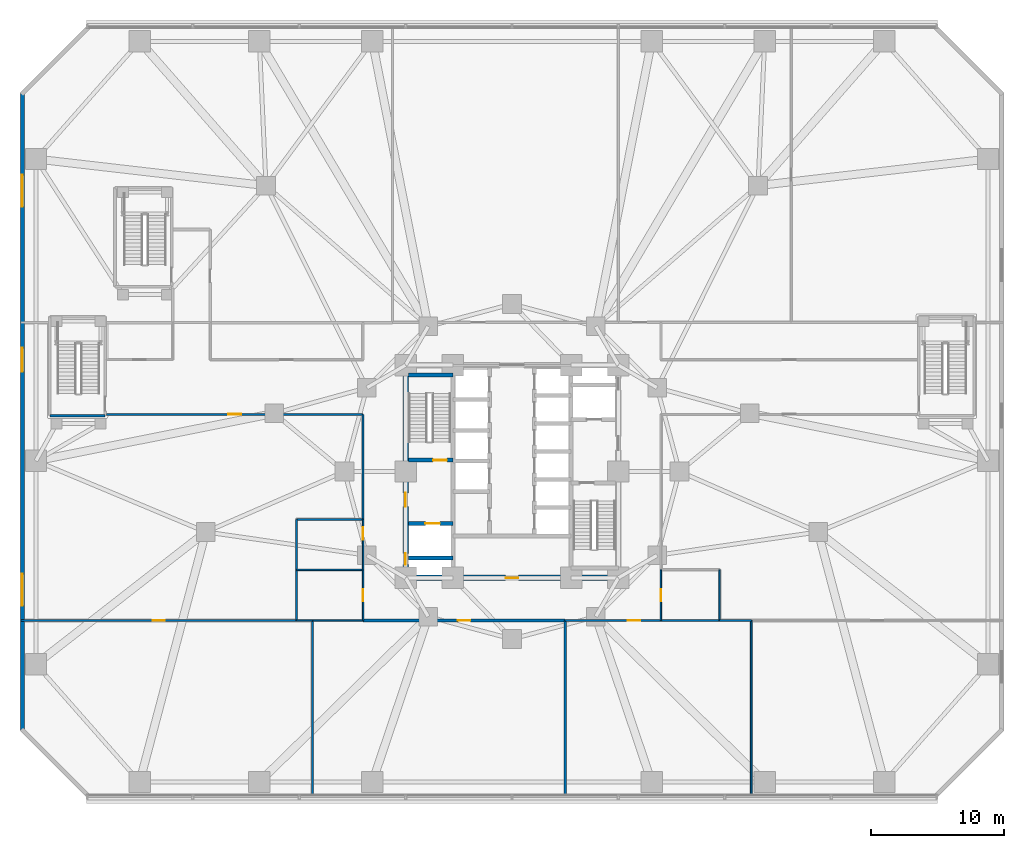
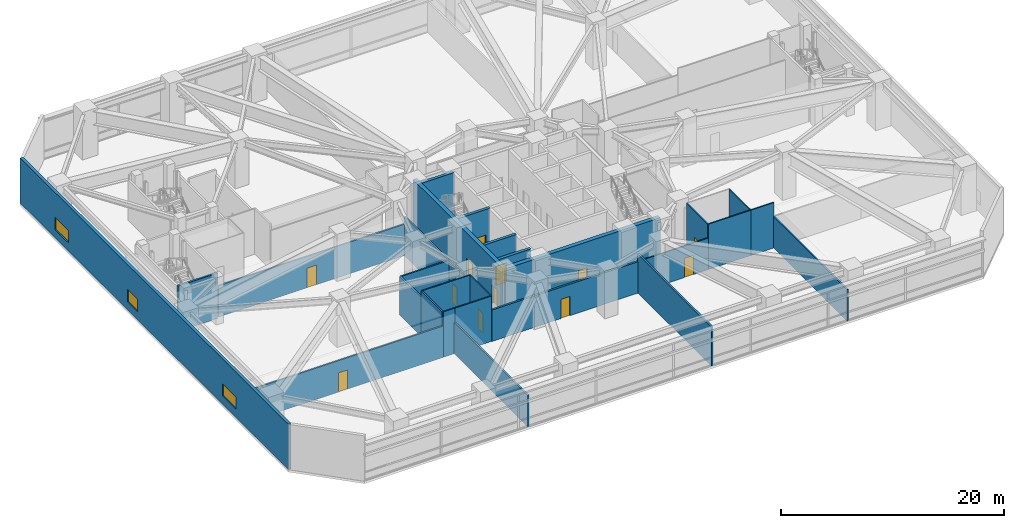
# One storey, part 15 of 28: 28 walls, 12 doors, 3 windows, 15 openings.
"""IFC4 building model written with IfcOpenShell, lengths in metres."""

from ifc_helpers import new_model, si_unit, direction, frame, frame_2d, origin, place, context, subcontext, project, spatial, rectangle, extrude, material, layer, layer_set, type_object, element, fill, save


model = new_model("IFC4")

# Units and contexts
model_context = context("Model", 3, precision=1e-05, world=origin(), true_north=direction((0.0, 1.0)))
body_context = subcontext(model_context, "Body", "Model", "MODEL_VIEW")
ifc_project = project(units=[si_unit("LENGTHUNIT", "METRE"), si_unit("AREAUNIT", "SQUARE_METRE"), si_unit("VOLUMEUNIT", "CUBIC_METRE"), si_unit("PLANEANGLEUNIT", "RADIAN"), si_unit("MASSUNIT", "GRAM", prefix="KILO")], contexts=[model_context])

# Site, building, storey
site_placement = place(None, origin())
site = spatial("IfcSite", under=ifc_project, at=site_placement, CompositionType="ELEMENT")
building_placement = place(site_placement, origin())
building = spatial("IfcBuilding", under=site, at=building_placement, Name="Terralouvre Media Tower", CompositionType="ELEMENT")
storey_placement = place(building_placement, frame((0.0, 0.0, 10.39990234375)))
storey = spatial("IfcBuildingStorey", under=building, at=storey_placement, Name="L02", CompositionType="ELEMENT", Elevation=10.39990234375)

# Wall, opening, door
ifc_material_1 = material(Name="Concrete C50/60", Category="concrete")
ifc_layer_1 = layer(ifc_material_1, 0.300048828125, Name="Core Internal Shaft Wall CW-300")
ifc_layer_set_1 = layer_set([ifc_layer_1], Name="Concrete C50/60")
wall_type_1 = type_object("IfcWallType", Name="Core Internal Shaft Wall CW-300", PredefinedType="SHEAR", material=ifc_layer_set_1)
wall_1_placement = place(storey_placement, frame((-7.7900390625, 0.85009765625, 0.0), z_axis=(0.0, 0.0, 1.0), x_axis=(1.0, 0.0, 0.0)))
wall_1 = element("IfcWall", 1, at=wall_1_placement, inside=storey, type_object=wall_type_1, Name="L02 Core Shaft Wall ST1D", PredefinedType="SHEAR", context=body_context, shape_type="SweptSolid", body=[
    extrude(rectangle(XDim=3.340087890625, YDim=0.300048828125, at=frame_2d((1.669921875, 0.0))), origin(), (0.0, 0.0, 1.0), 4.9501953125),
])
opening_1_placement = place(wall_1_placement, frame((1.85009765625, 0.0, 0.0)))
opening_1 = element("IfcOpeningElement", 2, at=opening_1_placement, cuts=wall_1, Name="Opening FD-01-105X215", PredefinedType="OPENING", context=body_context, shape_type="SweptSolid", body=[
    extrude(rectangle(XDim=1.050048828125, YDim=2.14990234375, at=frame_2d((0.52490234375, 1.074951171875))), frame((0.0, 0.159912109375, 0.0), z_axis=(0.0, -1.0, 0.0), x_axis=(1.0, 0.0, 0.0)), (0.0, 0.0, 1.0), 0.320068359375),
])
ifc_material_2 = material(Name="Galvanised steel fire-resisting leaf", Category="steel")
door_type_1 = type_object("IfcDoorType", Name="Stair and Firefighting Lobby Fire Door FD-01 (1050x2150)", OperationType="NOTDEFINED", PredefinedType="DOOR", material=ifc_material_2)
door_1_placement = place(opening_1_placement, origin())
door_1 = element("IfcDoor", 3, at=door_1_placement, inside=storey, type_object=door_type_1, Name="L02 ST-01 Exit Stair Door", OperationType="SINGLE_SWING_LEFT", OverallHeight=2.14990234375, OverallWidth=1.050048828125, PredefinedType="DOOR", context=body_context, shape_type="SweptSolid", body=[
    extrude(rectangle(XDim=1.050048828125, YDim=2.14990234375, at=frame_2d((0.52490234375, 1.074951171875))), frame((0.0, 0.02490234375, 0.0), z_axis=(0.0, -1.0, 0.0), x_axis=(1.0, 0.0, 0.0)), (0.0, 0.0, 1.0), 0.050048828125),
])
fill(opening_1, door_1)

# Wall
wall_2_placement = place(storey_placement, frame((-7.7900390625, 7.260009765625, 0.0), z_axis=(0.0, 0.0, 1.0), x_axis=(1.0, 0.0, 0.0)))
element("IfcWall", 4, at=wall_2_placement, inside=storey, type_object=wall_type_1, Name="L02 Core Shaft Wall ST1F", PredefinedType="SHEAR", context=body_context, shape_type="SweptSolid", body=[
    extrude(rectangle(XDim=3.340087890625, YDim=0.300048828125, at=frame_2d((1.669921875, 0.0))), origin(), (0.0, 0.0, 1.0), 4.9501953125),
])

# Wall, opening, door
wall_3_placement = place(storey_placement, frame((-7.7900390625, -3.89990234375, 0.0), z_axis=(0.0, 0.0, 1.0), x_axis=(1.0, 0.0, 0.0)))
wall_3 = element("IfcWall", 5, at=wall_3_placement, inside=storey, type_object=wall_type_1, Name="L02 Core Shaft Wall FF1N", PredefinedType="SHEAR", context=body_context, shape_type="SweptSolid", body=[
    extrude(rectangle(XDim=3.340087890625, YDim=0.300048828125, at=frame_2d((1.669921875, 0.0))), origin(), (0.0, 0.0, 1.0), 4.9501953125),
])
opening_2_placement = place(wall_3_placement, frame((1.27001953125, 0.0, 0.0)))
opening_2 = element("IfcOpeningElement", 6, at=opening_2_placement, cuts=wall_3, Name="Opening LD-FF", PredefinedType="OPENING", context=body_context, shape_type="SweptSolid", body=[
    extrude(rectangle(XDim=1.10009765625, YDim=2.10009765625, at=frame_2d((0.550048828125, 1.050048828125))), frame((0.0, 0.159912109375, 0.0), z_axis=(0.0, -1.0, 0.0), x_axis=(1.0, 0.0, 0.0)), (0.0, 0.0, 1.0), 0.320068359375),
])
ifc_material_3 = material(Name="Stainless steel 316 handrail and balustrade", Category="steel")
door_type_2 = type_object("IfcDoorType", Name="Firefighting Lift Sliding Landing Door LD-FF", OperationType="SLIDING_TO_LEFT", PredefinedType="DOOR", material=ifc_material_3)
door_2_placement = place(opening_2_placement, origin())
door_2 = element("IfcDoor", 7, at=door_2_placement, inside=storey, type_object=door_type_2, Name="L02 Firefighting Lift FFL-01 Landing Door", OperationType="SLIDING_TO_LEFT", OverallHeight=2.10009765625, OverallWidth=1.10009765625, PredefinedType="DOOR", context=body_context, shape_type="SweptSolid", body=[
    extrude(rectangle(XDim=1.10009765625, YDim=2.10009765625, at=frame_2d((0.550048828125, 1.050048828125))), frame((0.0, 0.02490234375, 0.0), z_axis=(0.0, -1.0, 0.0), x_axis=(1.0, 0.0, 0.0)), (0.0, 0.0, 1.0), 0.050048828125),
])
fill(opening_2, door_2)

# Wall
wall_4_placement = place(storey_placement, frame((-7.7900390625, -6.5, 0.0), z_axis=(0.0, 0.0, 1.0), x_axis=(1.0, 0.0, 0.0)))
element("IfcWall", 8, at=wall_4_placement, inside=storey, type_object=wall_type_1, Name="L02 Core Shaft Wall FF1S", PredefinedType="SHEAR", context=body_context, shape_type="SweptSolid", body=[
    extrude(rectangle(XDim=3.340087890625, YDim=0.300048828125, at=frame_2d((1.669921875, 0.0))), origin(), (0.0, 0.0, 1.0), 4.9501953125),
])

# Wall, openings, doors
ifc_material_4 = material(Name="Concrete C60/75", Category="concrete")
ifc_layer_2 = layer(ifc_material_4, 0.419921875, Name="Core Reinforced Concrete Shear Wall CW-420")
ifc_layer_set_2 = layer_set([ifc_layer_2], Name="Concrete C60/75")
wall_type_2 = type_object("IfcWallType", Name="Core Reinforced Concrete Shear Wall CW-420", PredefinedType="SHEAR", material=ifc_layer_set_2)
wall_5_placement = place(storey_placement, frame((-8.0, -8.0, 0.0), z_axis=(0.0, 0.0, 1.0), x_axis=(0.0, 1.0, 0.0)))
wall_5 = element("IfcWall", 9, at=wall_5_placement, inside=storey, type_object=wall_type_2, Name="L02 W Core Shear Wall", PredefinedType="SHEAR", context=body_context, shape_type="SweptSolid", body=[
    extrude(rectangle(XDim=16.0, YDim=0.419921875, at=frame_2d((8.0, 0.0))), origin(), (0.0, 0.0, 1.0), 4.9501953125),
])
opening_3_placement = place(wall_5_placement, frame((1.001708984375, 0.0, 0.0)))
opening_3 = element("IfcOpeningElement", 10, at=opening_3_placement, cuts=wall_5, Name="Opening TD-R1", PredefinedType="OPENING", context=body_context, shape_type="SweptSolid", body=[
    extrude(rectangle(XDim=0.85009765625, YDim=2.02001953125, at=frame_2d((0.425048828125, 1.010009765625))), frame((0.0, 0.219970703125, 0.0), z_axis=(0.0, -1.0, 0.0), x_axis=(1.0, 0.0, 0.0)), (0.0, 0.0, 1.0), 0.43994140625),
])
opening_4_placement = place(wall_5_placement, frame((5.35009765625, 0.0, 0.0)))
opening_4 = element("IfcOpeningElement", 11, at=opening_4_placement, cuts=wall_5, Name="Opening FD-01-105X215", PredefinedType="OPENING", context=body_context, shape_type="SweptSolid", body=[
    extrude(rectangle(XDim=1.050048828125, YDim=2.14990234375, at=frame_2d((0.52490234375, 1.074951171875))), frame((0.0, 0.219970703125, 0.0), z_axis=(0.0, -1.0, 0.0), x_axis=(1.0, 0.0, 0.0)), (0.0, 0.0, 1.0), 0.43994140625),
])
ifc_material_5 = material(Name="Galvanised steel fire-resisting leaf", Category="steel")
door_type_3 = type_object("IfcDoorType", Name="Riser Inspection Access Trapdoor TD-R1", OperationType="NOTDEFINED", PredefinedType="TRAPDOOR", material=ifc_material_5)
door_3_placement = place(opening_3_placement, origin())
door_3 = element("IfcDoor", 12, at=door_3_placement, inside=storey, type_object=door_type_3, Name="L02 Wet Riser Access Trapdoor", OperationType="SINGLE_SWING_LEFT", OverallHeight=2.02001953125, OverallWidth=0.85009765625, PredefinedType="TRAPDOOR", context=body_context, shape_type="SweptSolid", body=[
    extrude(rectangle(XDim=0.85009765625, YDim=2.02001953125, at=frame_2d((0.425048828125, 1.010009765625))), frame((0.0, 0.02490234375, 0.0), z_axis=(0.0, -1.0, 0.0), x_axis=(1.0, 0.0, 0.0)), (0.0, 0.0, 1.0), 0.050048828125),
])
fill(opening_3, door_3)
door_4_placement = place(opening_4_placement, origin())
door_4 = element("IfcDoor", 13, at=door_4_placement, inside=storey, type_object=door_type_1, Name="L02 West Firefighting Lobby Entry Door", OperationType="SINGLE_SWING_RIGHT", OverallHeight=2.14990234375, OverallWidth=1.050048828125, PredefinedType="DOOR", context=body_context, shape_type="SweptSolid", body=[
    extrude(rectangle(XDim=1.050048828125, YDim=2.14990234375, at=frame_2d((0.52490234375, 1.074951171875))), frame((0.0, 0.02490234375, 0.0), z_axis=(0.0, -1.0, 0.0), x_axis=(1.0, 0.0, 0.0)), (0.0, 0.0, 1.0), 0.050048828125),
])
fill(opening_4, door_4)

# Wall, opening, door
wall_6_placement = place(storey_placement, frame((-8.0, -8.0, 0.0), z_axis=(0.0, 0.0, 1.0), x_axis=(1.0, 0.0, 0.0)))
wall_6 = element("IfcWall", 14, at=wall_6_placement, inside=storey, type_object=wall_type_2, Name="L02 S Core Shear Wall", PredefinedType="SHEAR", context=body_context, shape_type="SweptSolid", body=[
    extrude(rectangle(XDim=16.0, YDim=0.419921875, at=frame_2d((8.0, 0.0))), origin(), (0.0, 0.0, 1.0), 4.9501953125),
])
opening_5_placement = place(wall_6_placement, frame((7.52001953125, 0.0, 0.0)))
opening_5 = element("IfcOpeningElement", 15, at=opening_5_placement, cuts=wall_6, Name="Opening FD-02-95X210", PredefinedType="OPENING", context=body_context, shape_type="SweptSolid", body=[
    extrude(rectangle(XDim=0.949951171875, YDim=2.10009765625, at=frame_2d((0.47509765625, 1.050048828125))), frame((0.0, 0.219970703125, 0.0), z_axis=(0.0, -1.0, 0.0), x_axis=(1.0, 0.0, 0.0)), (0.0, 0.0, 1.0), 0.43994140625),
])
ifc_material_6 = material(Name="Galvanised steel fire-resisting leaf", Category="steel")
door_type_4 = type_object("IfcDoorType", Name="Plant and Riser Fire Door FD-02 (950x2100)", OperationType="NOTDEFINED", PredefinedType="DOOR", material=ifc_material_6)
door_5_placement = place(opening_5_placement, origin())
door_5 = element("IfcDoor", 16, at=door_5_placement, inside=storey, type_object=door_type_4, Name="L02 Core Switchgear Plant Door", OperationType="SINGLE_SWING_LEFT", OverallHeight=2.10009765625, OverallWidth=0.949951171875, PredefinedType="DOOR", context=body_context, shape_type="SweptSolid", body=[
    extrude(rectangle(XDim=0.949951171875, YDim=2.10009765625, at=frame_2d((0.47509765625, 1.050048828125))), frame((0.0, 0.02490234375, 0.0), z_axis=(0.0, -1.0, 0.0), x_axis=(1.0, 0.0, 0.0)), (0.0, 0.0, 1.0), 0.050048828125),
])
fill(opening_5, door_5)

# Wall
ifc_material_7 = material(Name="Fire-rated gypsum board drywall partition")
ifc_layer_3 = layer(ifc_material_7, 0.199951171875, Name="Fire-Rated Shaft and Lobby Partition FW-200")
ifc_layer_set_3 = layer_set([ifc_layer_3], Name="Fire-rated gypsum board drywall partition")
wall_type_3 = type_object("IfcWallType", Name="Fire-Rated Shaft and Lobby Partition FW-200", PredefinedType="SOLIDWALL", material=ifc_layer_set_3)
wall_7_placement = place(storey_placement, frame((-34.75, 4.199951171875, 0.0), z_axis=(0.0, 0.0, 1.0), x_axis=(1.0, 0.0, 0.0)))
element("IfcWall", 17, at=wall_7_placement, inside=storey, type_object=wall_type_3, Name="L02 ST03 Stair Shaft Wall S", PredefinedType="SOLIDWALL", context=body_context, shape_type="SweptSolid", body=[
    extrude(rectangle(XDim=4.14990234375, YDim=0.199951171875, at=frame_2d((2.074951171875, 0.0))), origin(), (0.0, 0.0, 1.0), 4.9501953125),
])

# Wall, opening, door
wall_8_placement = place(storey_placement, frame((-11.199951171875, -11.199951171875, 0.0), z_axis=(0.0, 0.0, 1.0), x_axis=(1.0, 0.0, 0.0)))
wall_8 = element("IfcWall", 18, at=wall_8_placement, inside=storey, type_object=wall_type_3, Name="L02 Interior Partition 006", PredefinedType="SOLIDWALL", context=body_context, shape_type="SweptSolid", body=[
    extrude(rectangle(XDim=15.199951171875, YDim=0.199951171875, at=frame_2d((7.60009765625, 0.0))), origin(), (0.0, 0.0, 1.0), 3.43505859375),
])
opening_6_placement = place(wall_8_placement, frame((7.125, 0.0, 0.0)))
opening_6 = element("IfcOpeningElement", 19, at=opening_6_placement, cuts=wall_8, Name="Opening FD-02-95X210", PredefinedType="OPENING", context=body_context, shape_type="SweptSolid", body=[
    extrude(rectangle(XDim=0.949951171875, YDim=2.10009765625, at=frame_2d((0.47509765625, 1.050048828125))), frame((0.0, 0.10986328125, 0.0), z_axis=(0.0, -1.0, 0.0), x_axis=(1.0, 0.0, 0.0)), (0.0, 0.0, 1.0), 0.219970703125),
])
door_6_placement = place(opening_6_placement, origin())
door_6 = element("IfcDoor", 20, at=door_6_placement, inside=storey, type_object=door_type_4, Name="L02 L02 Central Apparatus Server Plant Room 3 Door", OperationType="SINGLE_SWING_LEFT", OverallHeight=2.10009765625, OverallWidth=0.949951171875, PredefinedType="DOOR", context=body_context, shape_type="SweptSolid", body=[
    extrude(rectangle(XDim=0.949951171875, YDim=2.10009765625, at=frame_2d((0.47509765625, 1.050048828125))), frame((0.0, 0.02490234375, 0.0), z_axis=(0.0, -1.0, 0.0), x_axis=(1.0, 0.0, 0.0)), (0.0, 0.0, 1.0), 0.050048828125),
])
fill(opening_6, door_6)

# Wall
wall_9_placement = place(storey_placement, frame((4.0, -24.419921875, 0.0), z_axis=(0.0, 0.0, 1.0), x_axis=(0.0, 1.0, 0.0)))
element("IfcWall", 21, at=wall_9_placement, inside=storey, type_object=wall_type_3, Name="L02 Interior Partition 033", PredefinedType="SOLIDWALL", context=body_context, shape_type="SweptSolid", body=[
    extrude(rectangle(XDim=13.219970703125, YDim=0.199951171875, at=frame_2d((6.60986328125, 0.0))), origin(), (0.0, 0.0, 1.0), 4.235107421875),
])

# Wall, opening, door
ifc_material_8 = material(Name="Fire-rated gypsum board drywall partition")
ifc_layer_4 = layer(ifc_material_8, 0.135009765625, Name="Newsroom Acoustic Partition PT-135")
ifc_layer_set_4 = layer_set([ifc_layer_4], Name="Fire-rated gypsum board drywall partition")
wall_type_4 = type_object("IfcWallType", Name="Newsroom Acoustic Partition PT-135", PredefinedType="PARTITIONING", material=ifc_layer_set_4)
wall_10_placement = place(storey_placement, frame((4.0, -11.199951171875, 0.0), z_axis=(0.0, 0.0, 1.0), x_axis=(1.0, 0.0, 0.0)))
wall_10 = element("IfcWall", 22, at=wall_10_placement, inside=storey, type_object=wall_type_4, Name="L02 Interior Partition 007", PredefinedType="PARTITIONING", context=body_context, shape_type="SweptSolid", body=[
    extrude(rectangle(XDim=7.199951171875, YDim=0.135009765625, at=frame_2d((3.60009765625, 0.0))), origin(), (0.0, 0.0, 1.0), 3.43505859375),
])
opening_7_placement = place(wall_10_placement, frame((4.708984375, 0.0, 0.0)))
opening_7 = element("IfcOpeningElement", 23, at=opening_7_placement, cuts=wall_10, Name="Opening ID-02-95X210", PredefinedType="OPENING", context=body_context, shape_type="SweptSolid", body=[
    extrude(rectangle(XDim=0.949951171875, YDim=2.10009765625, at=frame_2d((0.47509765625, 1.050048828125))), frame((0.0, 0.077392578125, 0.0), z_axis=(0.0, -1.0, 0.0), x_axis=(1.0, 0.0, 0.0)), (0.0, 0.0, 1.0), 0.155029296875),
])
ifc_material_9 = material(Name="Engineered hardwood acoustic timber leaf", Category="wood")
door_type_5 = type_object("IfcDoorType", Name="Office and Meeting Room Door ID-02 (950x2100)", OperationType="NOTDEFINED", PredefinedType="DOOR", material=ifc_material_9)
door_7_placement = place(opening_7_placement, origin())
door_7 = element("IfcDoor", 24, at=door_7_placement, inside=storey, type_object=door_type_5, Name="L02 L02 Post-Production Open Office 4 Door", OperationType="SINGLE_SWING_RIGHT", OverallHeight=2.10009765625, OverallWidth=0.949951171875, PredefinedType="DOOR", context=body_context, shape_type="SweptSolid", body=[
    extrude(rectangle(XDim=0.949951171875, YDim=2.10009765625, at=frame_2d((0.47509765625, 1.050048828125))), frame((0.0, 0.02490234375, 0.0), z_axis=(0.0, -1.0, 0.0), x_axis=(1.0, 0.0, 0.0)), (0.0, 0.0, 1.0), 0.050048828125),
])
fill(opening_7, door_7)

# Walls
wall_11_placement = place(storey_placement, frame((15.60009765625, -11.199951171875, 0.0), z_axis=(0.0, 0.0, 1.0), x_axis=(-1.0, 0.0, 0.0)))
element("IfcWall", 25, at=wall_11_placement, inside=storey, type_object=wall_type_4, Name="L02 Interior Partition 034", PredefinedType="PARTITIONING", context=body_context, shape_type="SweptSolid", body=[
    extrude(rectangle(XDim=4.400146484375, YDim=0.135009765625, at=frame_2d((2.2001953125, 0.0))), origin(), (0.0, 0.0, 1.0), 4.9501953125),
])
wall_12_placement = place(storey_placement, frame((18.0, -24.419921875, 0.0), z_axis=(0.0, 0.0, 1.0), x_axis=(0.0, 1.0, 0.0)))
element("IfcWall", 26, at=wall_12_placement, inside=storey, type_object=wall_type_4, Name="L02 Interior Partition 035", PredefinedType="PARTITIONING", context=body_context, shape_type="SweptSolid", body=[
    extrude(rectangle(XDim=13.219970703125, YDim=0.135009765625, at=frame_2d((6.60986328125, 0.0))), origin(), (0.0, 0.0, 1.0), 3.43505859375),
])
wall_13_placement = place(storey_placement, frame((18.0, -11.199951171875, 0.0), z_axis=(0.0, 0.0, 1.0), x_axis=(-1.0, 0.0, 0.0)))
element("IfcWall", 27, at=wall_13_placement, inside=storey, type_object=wall_type_4, Name="L02 Interior Partition 036", PredefinedType="PARTITIONING", context=body_context, shape_type="SweptSolid", body=[
    extrude(rectangle(XDim=2.39990234375, YDim=0.135009765625, at=frame_2d((1.199951171875, 0.0))), origin(), (0.0, 0.0, 1.0), 4.9501953125),
])

# Wall, openings, windows
ifc_material_10 = material(Name="Kiln-fired architectural terracotta rainscreen cladding", Category="masonry")
ifc_layer_5 = layer(ifc_material_10, 0.300048828125, Name="Podium Acoustic Terracotta Cladding Wall EW-TC300")
ifc_layer_set_5 = layer_set([ifc_layer_5], Name="Kiln-fired architectural terracotta rainscreen cladding")
wall_type_5 = type_object("IfcWallType", Name="Podium Acoustic Terracotta Cladding Wall EW-TC300", PredefinedType="SOLIDWALL", material=ifc_layer_set_5)
wall_14_placement = place(storey_placement, frame((-36.824951171875, 28.5, 0.0), z_axis=(0.0, 0.0, 1.0), x_axis=(0.0, -1.0, 0.0)))
wall_14 = element("IfcWall", 28, at=wall_14_placement, inside=storey, type_object=wall_type_5, Name="L02 Podium Terracotta Wall F6", PredefinedType="SOLIDWALL", context=body_context, shape_type="SweptSolid", body=[
    extrude(rectangle(XDim=48.0, YDim=0.300048828125, at=frame_2d((24.0, 0.0))), origin(), (0.0, 0.0, 1.0), 4.9501953125),
])
opening_8_placement = place(wall_14_placement, frame((6.199951171875, 0.0, 0.89990234375)))
opening_8 = element("IfcOpeningElement", 29, at=opening_8_placement, cuts=wall_14, Name="Opening W-01", PredefinedType="OPENING", context=body_context, shape_type="SweptSolid", body=[
    extrude(rectangle(XDim=2.39990234375, YDim=1.35009765625, at=frame_2d((1.199951171875, 0.675048828125))), frame((0.0, 0.159912109375, 0.0), z_axis=(0.0, -1.0, 0.0), x_axis=(1.0, 0.0, 0.0)), (0.0, 0.0, 1.0), 0.320068359375),
])
opening_9_placement = place(wall_14_placement, frame((19.199951171875, 0.0, 0.89990234375)))
opening_9 = element("IfcOpeningElement", 30, at=opening_9_placement, cuts=wall_14, Name="Opening W-02", PredefinedType="OPENING", context=body_context, shape_type="SweptSolid", body=[
    extrude(rectangle(XDim=1.800048828125, YDim=1.35009765625, at=frame_2d((0.89990234375, 0.675048828125))), frame((0.0, 0.159912109375, 0.0), z_axis=(0.0, -1.0, 0.0), x_axis=(1.0, 0.0, 0.0)), (0.0, 0.0, 1.0), 0.320068359375),
])
opening_10_placement = place(wall_14_placement, frame((36.199951171875, 0.0, 0.89990234375)))
opening_10 = element("IfcOpeningElement", 31, at=opening_10_placement, cuts=wall_14, Name="Opening W-01", PredefinedType="OPENING", context=body_context, shape_type="SweptSolid", body=[
    extrude(rectangle(XDim=2.39990234375, YDim=1.35009765625, at=frame_2d((1.199951171875, 0.675048828125))), frame((0.0, 0.159912109375, 0.0), z_axis=(0.0, -1.0, 0.0), x_axis=(1.0, 0.0, 0.0)), (0.0, 0.0, 1.0), 0.320068359375),
])
ifc_material_11 = material(Name="Low-iron laminated double glazing with solar-control coating", Category="glass")
window_type_1 = type_object("IfcWindowType", Name="Podium Acoustic Studio Window W-01", PartitioningType="SINGLE_PANEL", PredefinedType="WINDOW", material=ifc_material_11)
window_1_placement = place(opening_8_placement, origin())
window_1 = element("IfcWindow", 32, at=window_1_placement, inside=storey, type_object=window_type_1, Name="L02 Podium Window WIN-L02-F6-1", OverallHeight=1.35009765625, OverallWidth=2.39990234375, PartitioningType="SINGLE_PANEL", PredefinedType="WINDOW", context=body_context, shape_type="SweptSolid", body=[
    extrude(rectangle(XDim=2.39990234375, YDim=1.35009765625, at=frame_2d((1.199951171875, 0.675048828125))), frame((0.0, 0.030029296875, 0.0), z_axis=(0.0, -1.0, 0.0), x_axis=(1.0, 0.0, 0.0)), (0.0, 0.0, 1.0), 0.06005859375),
])
fill(opening_8, window_1)
window_2_placement = place(opening_10_placement, origin())
window_2 = element("IfcWindow", 33, at=window_2_placement, inside=storey, type_object=window_type_1, Name="L02 Podium Window WIN-L02-F6-3", OverallHeight=1.35009765625, OverallWidth=2.39990234375, PartitioningType="SINGLE_PANEL", PredefinedType="WINDOW", context=body_context, shape_type="SweptSolid", body=[
    extrude(rectangle(XDim=2.39990234375, YDim=1.35009765625, at=frame_2d((1.199951171875, 0.675048828125))), frame((0.0, 0.030029296875, 0.0), z_axis=(0.0, -1.0, 0.0), x_axis=(1.0, 0.0, 0.0)), (0.0, 0.0, 1.0), 0.06005859375),
])
fill(opening_10, window_2)
ifc_material_12 = material(Name="Low-iron laminated double glazing with solar-control coating", Category="glass")
window_type_2 = type_object("IfcWindowType", Name="Podium Press Office Window W-02", PartitioningType="SINGLE_PANEL", PredefinedType="WINDOW", material=ifc_material_12)
window_3_placement = place(opening_9_placement, origin())
window_3 = element("IfcWindow", 34, at=window_3_placement, inside=storey, type_object=window_type_2, Name="L02 Podium Window WIN-L02-F6-2", OverallHeight=1.35009765625, OverallWidth=1.800048828125, PartitioningType="SINGLE_PANEL", PredefinedType="WINDOW", context=body_context, shape_type="SweptSolid", body=[
    extrude(rectangle(XDim=1.800048828125, YDim=1.35009765625, at=frame_2d((0.89990234375, 0.675048828125))), frame((0.0, 0.030029296875, 0.0), z_axis=(0.0, -1.0, 0.0), x_axis=(1.0, 0.0, 0.0)), (0.0, 0.0, 1.0), 0.06005859375),
])
fill(opening_9, window_3)

# Wall, opening, door
ifc_material_13 = material(Name="Fire-rated gypsum board drywall partition")
ifc_layer_6 = layer(ifc_material_13, 0.114990234375, Name="Restroom and Pantry Partition PT-115")
ifc_layer_set_6 = layer_set([ifc_layer_6], Name="Fire-rated gypsum board drywall partition")
wall_type_6 = type_object("IfcWallType", Name="Restroom and Pantry Partition PT-115", PredefinedType="PARTITIONING", material=ifc_layer_set_6)
wall_15_placement = place(storey_placement, frame((-11.199951171875, -3.60009765625, 0.0), z_axis=(0.0, 0.0, 1.0), x_axis=(0.0, -1.0, 0.0)))
wall_15 = element("IfcWall", 35, at=wall_15_placement, inside=storey, type_object=wall_type_6, Name="L02 Interior Partition 004", PredefinedType="PARTITIONING", context=body_context, shape_type="SweptSolid", body=[
    extrude(rectangle(XDim=3.7998046875, YDim=0.114990234375, at=frame_2d((1.89990234375, 0.0))), origin(), (0.0, 0.0, 1.0), 4.235107421875),
])
opening_11_placement = place(wall_15_placement, frame((0.60400390625, 0.0, 0.0)))
opening_11 = element("IfcOpeningElement", 36, at=opening_11_placement, cuts=wall_15, Name="Opening ID-03-92X210", PredefinedType="OPENING", context=body_context, shape_type="SweptSolid", body=[
    extrude(rectangle(XDim=0.919921875, YDim=2.10009765625, at=frame_2d((0.4599609375, 1.050048828125))), frame((0.0, 0.0673828125, 0.0), z_axis=(0.0, -1.0, 0.0), x_axis=(1.0, 0.0, 0.0)), (0.0, 0.0, 1.0), 0.135009765625),
])
ifc_material_14 = material(Name="Engineered hardwood acoustic timber leaf", Category="wood")
door_type_6 = type_object("IfcDoorType", Name="Accessible Restroom and Suite Door ID-03 (920x2100)", OperationType="NOTDEFINED", PredefinedType="DOOR", material=ifc_material_14)
door_8_placement = place(opening_11_placement, origin())
door_8 = element("IfcDoor", 37, at=door_8_placement, inside=storey, type_object=door_type_6, Name="L02 L02 Podium Female Restroom WC Door", OperationType="SINGLE_SWING_LEFT", OverallHeight=2.10009765625, OverallWidth=0.919921875, PredefinedType="DOOR", context=body_context, shape_type="SweptSolid", body=[
    extrude(rectangle(XDim=0.919921875, YDim=2.10009765625, at=frame_2d((0.4599609375, 1.050048828125))), frame((0.0, 0.02490234375, 0.0), z_axis=(0.0, -1.0, 0.0), x_axis=(1.0, 0.0, 0.0)), (0.0, 0.0, 1.0), 0.050048828125),
])
fill(opening_11, door_8)

wall_16_placement = place(storey_placement, frame((-11.199951171875, -7.39990234375, 0.0), z_axis=(0.0, 0.0, 1.0), x_axis=(0.0, -1.0, 0.0)))
wall_16 = element("IfcWall", 38, at=wall_16_placement, inside=storey, type_object=wall_type_6, Name="L02 Interior Partition 005", PredefinedType="PARTITIONING", context=body_context, shape_type="SweptSolid", body=[
    extrude(rectangle(XDim=3.800048828125, YDim=0.114990234375, at=frame_2d((1.89990234375, 0.0))), origin(), (0.0, 0.0, 1.0), 4.9501953125),
])
opening_12_placement = place(wall_16_placement, frame((1.43994140625, 0.0, 0.0)))
opening_12 = element("IfcOpeningElement", 39, at=opening_12_placement, cuts=wall_16, Name="Opening ID-03-92X210", PredefinedType="OPENING", context=body_context, shape_type="SweptSolid", body=[
    extrude(rectangle(XDim=0.919921875, YDim=2.10009765625, at=frame_2d((0.4599609375, 1.050048828125))), frame((0.0, 0.0673828125, 0.0), z_axis=(0.0, -1.0, 0.0), x_axis=(1.0, 0.0, 0.0)), (0.0, 0.0, 1.0), 0.135009765625),
])
door_9_placement = place(opening_12_placement, origin())
door_9 = element("IfcDoor", 40, at=door_9_placement, inside=storey, type_object=door_type_6, Name="L02 L02 Podium Male Restroom WC Door", OperationType="SINGLE_SWING_RIGHT", OverallHeight=2.10009765625, OverallWidth=0.919921875, PredefinedType="DOOR", context=body_context, shape_type="SweptSolid", body=[
    extrude(rectangle(XDim=0.919921875, YDim=2.10009765625, at=frame_2d((0.4599609375, 1.050048828125))), frame((0.0, 0.02490234375, 0.0), z_axis=(0.0, -1.0, 0.0), x_axis=(1.0, 0.0, 0.0)), (0.0, 0.0, 1.0), 0.050048828125),
])
fill(opening_12, door_9)

wall_17_placement = place(storey_placement, frame((11.199951171875, -11.199951171875, 0.0), z_axis=(0.0, 0.0, 1.0), x_axis=(0.0, 1.0, 0.0)))
wall_17 = element("IfcWall", 41, at=wall_17_placement, inside=storey, type_object=wall_type_6, Name="L02 Interior Partition 008", PredefinedType="PARTITIONING", context=body_context, shape_type="SweptSolid", body=[
    extrude(rectangle(XDim=3.800048828125, YDim=0.114990234375, at=frame_2d((1.89990234375, 0.0))), origin(), (0.0, 0.0, 1.0), 4.9501953125),
])
opening_13_placement = place(wall_17_placement, frame((1.43994140625, 0.0, 0.0)))
opening_13 = element("IfcOpeningElement", 42, at=opening_13_placement, cuts=wall_17, Name="Opening ID-03-92X210", PredefinedType="OPENING", context=body_context, shape_type="SweptSolid", body=[
    extrude(rectangle(XDim=0.919921875, YDim=2.10009765625, at=frame_2d((0.4599609375, 1.050048828125))), frame((0.0, 0.0673828125, 0.0), z_axis=(0.0, -1.0, 0.0), x_axis=(1.0, 0.0, 0.0)), (0.0, 0.0, 1.0), 0.135009765625),
])
door_10_placement = place(opening_13_placement, origin())
door_10 = element("IfcDoor", 43, at=door_10_placement, inside=storey, type_object=door_type_6, Name="L02 L02 Podium Accessible Unisex WC Door", OperationType="SINGLE_SWING_LEFT", OverallHeight=2.10009765625, OverallWidth=0.919921875, PredefinedType="DOOR", context=body_context, shape_type="SweptSolid", body=[
    extrude(rectangle(XDim=0.919921875, YDim=2.10009765625, at=frame_2d((0.4599609375, 1.050048828125))), frame((0.0, 0.02490234375, 0.0), z_axis=(0.0, -1.0, 0.0), x_axis=(1.0, 0.0, 0.0)), (0.0, 0.0, 1.0), 0.050048828125),
])
fill(opening_13, door_10)

# Walls
wall_18_placement = place(storey_placement, frame((-16.199951171875, -7.39990234375, 0.0), z_axis=(0.0, 0.0, 1.0), x_axis=(1.0, 0.0, 0.0)))
element("IfcWall", 44, at=wall_18_placement, inside=storey, type_object=wall_type_6, Name="L02 Interior Partition 029", PredefinedType="PARTITIONING", context=body_context, shape_type="SweptSolid", body=[
    extrude(rectangle(XDim=5.0, YDim=0.114990234375, at=frame_2d((2.5, 0.0))), origin(), (0.0, 0.0, 1.0), 4.9501953125),
])
wall_19_placement = place(storey_placement, frame((-16.199951171875, -11.199951171875, 0.0), z_axis=(0.0, 0.0, 1.0), x_axis=(1.0, 0.0, 0.0)))
element("IfcWall", 45, at=wall_19_placement, inside=storey, type_object=wall_type_6, Name="L02 Interior Partition 030", PredefinedType="PARTITIONING", context=body_context, shape_type="SweptSolid", body=[
    extrude(rectangle(XDim=1.199951171875, YDim=0.114990234375, at=frame_2d((0.60009765625, 0.0))), origin(), (0.0, 0.0, 1.0), 4.9501953125),
])
for number, where, z_axis, x_axis, name in (
    (46, (-15.0, -11.199951171875, 0.0), (0.0, 0.0, 1.0), (1.0, 0.0, 0.0), "L02 Interior Partition 031"),
    (47, (15.60009765625, -11.199951171875, 0.0), (0.0, 0.0, 1.0), (0.0, 1.0, 0.0), "L02 Interior Partition 037"),
):
    element("IfcWall", number, at=place(storey_placement, frame(where, z_axis=z_axis, x_axis=x_axis)), inside=storey, type_object=wall_type_6, Name=name, PredefinedType="PARTITIONING", context=body_context, shape_type="SweptSolid", body=[
        extrude(rectangle(XDim=3.800048828125, YDim=0.114990234375, at=frame_2d((1.89990234375, 0.0))), origin(), (0.0, 0.0, 1.0), 4.9501953125),
    ])

# Wall, opening, door
ifc_material_15 = material(Name="Fire-rated gypsum board drywall partition")
ifc_layer_7 = layer(ifc_material_15, 0.159912109375, Name="Studio Acoustic Rated Partition PT-160")
ifc_layer_set_7 = layer_set([ifc_layer_7], Name="Fire-rated gypsum board drywall partition")
wall_type_7 = type_object("IfcWallType", Name="Studio Acoustic Rated Partition PT-160", PredefinedType="PARTITIONING", material=ifc_layer_set_7)
wall_20_placement = place(storey_placement, frame((-30.5, 4.300048828125, 0.0), z_axis=(0.0, 0.0, 1.0), x_axis=(1.0, 0.0, 0.0)))
wall_20 = element("IfcWall", 48, at=wall_20_placement, inside=storey, type_object=wall_type_7, Name="L02 Interior Partition 002", PredefinedType="PARTITIONING", context=body_context, shape_type="SweptSolid", body=[
    extrude(rectangle(XDim=19.300048828125, YDim=0.159912109375, at=frame_2d((9.64990234375, 0.0))), origin(), (0.0, 0.0, 1.0), 3.43505859375),
])
opening_14_placement = place(wall_20_placement, frame((9.14990234375, 0.0, 0.0)))
opening_14 = element("IfcOpeningElement", 49, at=opening_14_placement, cuts=wall_20, Name="Opening ID-01-100X215", PredefinedType="OPENING", context=body_context, shape_type="SweptSolid", body=[
    extrude(rectangle(XDim=1.0, YDim=2.14990234375, at=frame_2d((0.5, 1.074951171875))), frame((0.0, 0.08984375, 0.0), z_axis=(0.0, -1.0, 0.0), x_axis=(1.0, 0.0, 0.0)), (0.0, 0.0, 1.0), 0.179931640625),
])
ifc_material_16 = material(Name="Engineered hardwood acoustic timber leaf", Category="wood")
door_type_7 = type_object("IfcDoorType", Name="Broadcast Studio Acoustic Single Door ID-01 (1000x2150)", OperationType="NOTDEFINED", PredefinedType="DOOR", material=ifc_material_16)
door_11_placement = place(opening_14_placement, origin())
door_11 = element("IfcDoor", 50, at=door_11_placement, inside=storey, type_object=door_type_7, Name="L02 L02 Master Control Room 1 Door", OperationType="SINGLE_SWING_RIGHT", OverallHeight=2.14990234375, OverallWidth=1.0, PredefinedType="DOOR", context=body_context, shape_type="SweptSolid", body=[
    extrude(rectangle(XDim=1.0, YDim=2.14990234375, at=frame_2d((0.5, 1.074951171875))), frame((0.0, 0.02490234375, 0.0), z_axis=(0.0, -1.0, 0.0), x_axis=(1.0, 0.0, 0.0)), (0.0, 0.0, 1.0), 0.050048828125),
])
fill(opening_14, door_11)

# Walls
wall_21_placement = place(storey_placement, frame((-11.199951171875, 4.300048828125, 0.0), z_axis=(0.0, 0.0, 1.0), x_axis=(0.0, -1.0, 0.0)))
element("IfcWall", 51, at=wall_21_placement, inside=storey, type_object=wall_type_7, Name="L02 Interior Partition 003", PredefinedType="PARTITIONING", context=body_context, shape_type="SweptSolid", body=[
    extrude(rectangle(XDim=7.900146484375, YDim=0.159912109375, at=frame_2d((3.9501953125, 0.0))), origin(), (0.0, 0.0, 1.0), 4.235107421875),
])
wall_22_placement = place(storey_placement, frame((-16.199951171875, -7.39990234375, 0.0), z_axis=(0.0, 0.0, 1.0), x_axis=(0.0, 1.0, 0.0)))
element("IfcWall", 52, at=wall_22_placement, inside=storey, type_object=wall_type_7, Name="L02 Interior Partition 024", PredefinedType="PARTITIONING", context=body_context, shape_type="SweptSolid", body=[
    extrude(rectangle(XDim=3.7998046875, YDim=0.159912109375, at=frame_2d((1.89990234375, 0.0))), origin(), (0.0, 0.0, 1.0), 4.235107421875),
])
wall_23_placement = place(storey_placement, frame((-16.199951171875, -3.60009765625, 0.0), z_axis=(0.0, 0.0, 1.0), x_axis=(1.0, 0.0, 0.0)))
element("IfcWall", 53, at=wall_23_placement, inside=storey, type_object=wall_type_7, Name="L02 Interior Partition 025", PredefinedType="PARTITIONING", context=body_context, shape_type="SweptSolid", body=[
    extrude(rectangle(XDim=5.0, YDim=0.159912109375, at=frame_2d((2.5, 0.0))), origin(), (0.0, 0.0, 1.0), 4.235107421875),
])
wall_24_placement = place(storey_placement, frame((-16.199951171875, -11.199951171875, 0.0), z_axis=(0.0, 0.0, 1.0), x_axis=(0.0, 1.0, 0.0)))
element("IfcWall", 54, at=wall_24_placement, inside=storey, type_object=wall_type_7, Name="L02 Interior Partition 026", PredefinedType="PARTITIONING", context=body_context, shape_type="SweptSolid", body=[
    extrude(rectangle(XDim=3.800048828125, YDim=0.159912109375, at=frame_2d((1.89990234375, 0.0))), origin(), (0.0, 0.0, 1.0), 4.9501953125),
])

# Wall, opening, door
wall_25_placement = place(storey_placement, frame((-36.919921875, -11.199951171875, 0.0), z_axis=(0.0, 0.0, 1.0), x_axis=(1.0, 0.0, 0.0)))
wall_25 = element("IfcWall", 55, at=wall_25_placement, inside=storey, type_object=wall_type_7, Name="L02 Interior Partition 027", PredefinedType="PARTITIONING", context=body_context, shape_type="SweptSolid", body=[
    extrude(rectangle(XDim=20.719970703125, YDim=0.159912109375, at=frame_2d((10.35986328125, 0.0))), origin(), (0.0, 0.0, 1.0), 3.43505859375),
])
opening_15_placement = place(wall_25_placement, frame((9.89990234375, 0.0, 0.0)))
opening_15 = element("IfcOpeningElement", 56, at=opening_15_placement, cuts=wall_25, Name="Opening ID-03-92X210", PredefinedType="OPENING", context=body_context, shape_type="SweptSolid", body=[
    extrude(rectangle(XDim=0.919921875, YDim=2.10009765625, at=frame_2d((0.4599609375, 1.050048828125))), frame((0.0, 0.08984375, 0.0), z_axis=(0.0, -1.0, 0.0), x_axis=(1.0, 0.0, 0.0)), (0.0, 0.0, 1.0), 0.179931640625),
])
door_12_placement = place(opening_15_placement, origin())
door_12 = element("IfcDoor", 57, at=door_12_placement, inside=storey, type_object=door_type_6, Name="L02 L02 Studio Production Control Room 2 Door", OperationType="SINGLE_SWING_LEFT", OverallHeight=2.10009765625, OverallWidth=0.919921875, PredefinedType="DOOR", context=body_context, shape_type="SweptSolid", body=[
    extrude(rectangle(XDim=0.919921875, YDim=2.10009765625, at=frame_2d((0.4599609375, 1.050048828125))), frame((0.0, 0.02490234375, 0.0), z_axis=(0.0, -1.0, 0.0), x_axis=(1.0, 0.0, 0.0)), (0.0, 0.0, 1.0), 0.050048828125),
])
fill(opening_15, door_12)

# Wall
wall_26_placement = place(storey_placement, frame((-15.0, -24.419921875, 0.0), z_axis=(0.0, 0.0, 1.0), x_axis=(0.0, 1.0, 0.0)))
element("IfcWall", 58, at=wall_26_placement, inside=storey, type_object=wall_type_7, Name="L02 Interior Partition 032", PredefinedType="PARTITIONING", context=body_context, shape_type="SweptSolid", body=[
    extrude(rectangle(XDim=13.219970703125, YDim=0.159912109375, at=frame_2d((6.60986328125, 0.0))), origin(), (0.0, 0.0, 1.0), 3.43505859375),
])

save(model, "model.ifc")
